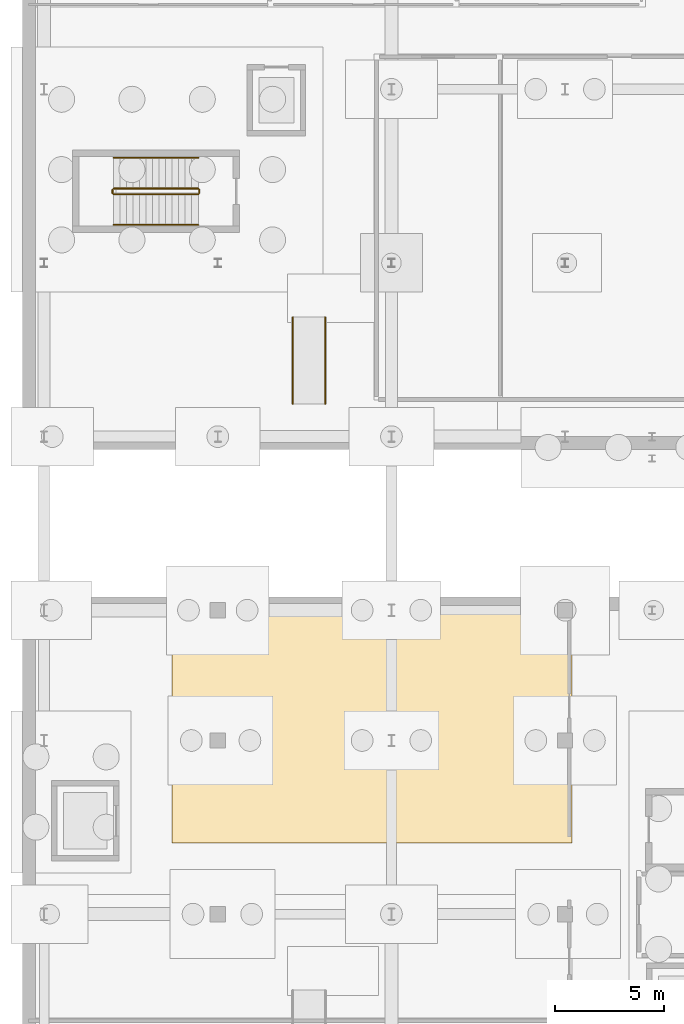
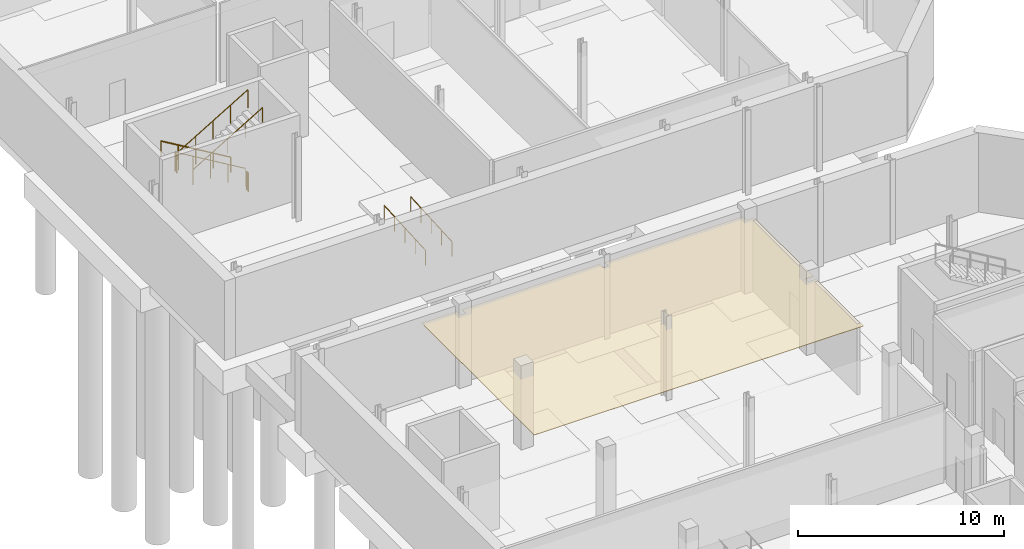
# One storey, part 41 of 47: 8 railings, 1 covering.
"""IFC4 building model written with IfcOpenShell, lengths in metres."""

from ifc_helpers import new_model, si_unit, direction, frame, origin, origin_2d, place, context, subcontext, project, spatial, polyline, circle, outline, extrude, material, layer, layer_set, type_object, element, save


model = new_model("IFC4")

# Units and contexts
model_context = context("Model", 3, precision=1e-05, world=origin(), true_north=direction((0.0, 1.0)))
body_context = subcontext(model_context, "Body", "Model", "MODEL_VIEW")
ifc_project = project(units=[si_unit("LENGTHUNIT", "METRE"), si_unit("AREAUNIT", "SQUARE_METRE"), si_unit("VOLUMEUNIT", "CUBIC_METRE"), si_unit("PLANEANGLEUNIT", "RADIAN"), si_unit("MASSUNIT", "GRAM", prefix="KILO")], contexts=[model_context])

# Site, building, storey
site_placement = place(None, origin())
site = spatial("IfcSite", under=ifc_project, at=site_placement, CompositionType="ELEMENT")
building_placement = place(site_placement, origin())
building = spatial("IfcBuilding", under=site, at=building_placement, Name="Cymarion Research Institute", CompositionType="ELEMENT")
storey_placement = place(building_placement, frame((0.0, 0.0, -5.0)))
storey = spatial("IfcBuildingStorey", under=building, at=storey_placement, Name="B1", CompositionType="ELEMENT", Elevation=-5.0)

# Covering
ifc_material_1 = material(Name="Micro-perforated mineral acoustic ceiling tile", Category="gypsum")
ifc_layer = layer(ifc_material_1, 0.030029296875)
ifc_layer_set = layer_set([ifc_layer], Name="Micro-perforated mineral acoustic ceiling tile")
covering_type = type_object("IfcCoveringType", Name="ACOUSTIC MICRO-PERFORATED SUSPENDED CEILING CLG-01", PredefinedType="CEILING", material=ifc_layer_set)
covering_placement = place(storey_placement, frame((0.0, 0.0, 4.14990234375)))
element("IfcCovering", 1, at=covering_placement, inside=storey, type_object=covering_type, Name="B1 B1 Electron-Beam & Surface Metrology Laboratory acoustic ceiling", PredefinedType="CEILING", context=body_context, shape_type="SweptSolid", body=[
    extrude(outline(polyline([(14.465087890625, 77.715087890625), (14.465087890625, 77.364990234375), (14.735107421875, 77.364990234375), (14.735107421875, 77.715087890625), (22.465087890625, 77.715087890625), (22.465087890625, 77.364990234375), (22.735107421875, 77.364990234375), (22.735107421875, 77.715087890625), (30.465087890625, 77.715087890625), (30.465087890625, 77.364990234375), (30.9150390625, 77.364990234375), (30.9150390625, 71.635009765625), (30.465087890625, 71.635009765625), (30.465087890625, 71.364990234375), (30.9150390625, 71.364990234375), (30.9150390625, 66.784912109375), (12.485107421875, 66.784912109375), (12.485107421875, 77.715087890625), (14.465087890625, 77.715087890625)])), origin(), (0.0, 0.0, 1.0), 0.030029296875),
])

# Railings
ifc_material_2 = material(Name="Steel S355", Category="steel")
railing_type_1 = type_object("IfcRailingType", Name="PAINTED STEEL STAIR GUARDRAIL GR1 1100MM", PredefinedType="GUARDRAIL", material=ifc_material_2)
railing_1_placement = place(storey_placement, frame((13.699951171875, 96.929931640625, 0.178466796875)))
element("IfcRailing", 2, at=railing_1_placement, inside=storey, type_object=railing_type_1, Name="B1 ST9 stair guard 1", PredefinedType="GUARDRAIL", context=body_context, shape_type="SweptSolid", body=[
    extrude(circle(Radius=0.02392578125, at=origin_2d()), frame((0.0, 0.0, 1.076171875), z_axis=(-0.85927712236, 0.0, 0.511510339083), x_axis=(0.0, -1.0, 0.0)), (0.0, 0.0, 1.0), 4.53857421875),
    extrude(circle(Radius=0.02099609375, at=origin_2d()), origin(), (0.0, 0.0, 1.0), 1.052001953125),
    extrude(circle(Radius=0.02099609375, at=origin_2d()), frame((-0.97509765625, 0.0, 0.580322265625)), (0.0, 0.0, 1.0), 1.052001953125),
    extrude(circle(Radius=0.02099609375, at=origin_2d()), frame((-1.949951171875, 0.0, 1.16064453125)), (0.0, 0.0, 1.0), 1.052001953125),
    extrude(circle(Radius=0.02099609375, at=origin_2d()), frame((-2.9248046875, 0.0, 1.7412109375)), (0.0, 0.0, 1.0), 1.052001953125),
    extrude(circle(Radius=0.02099609375, at=origin_2d()), frame((-3.89990234375, 0.0, 2.321533203125)), (0.0, 0.0, 1.0), 1.052001953125),
])
railing_2_placement = place(storey_placement, frame((9.75, 96.8798828125, 2.5)))
element("IfcRailing", 3, at=railing_2_placement, inside=storey, type_object=railing_type_1, Name="B1 ST9 stair guard 2", PredefinedType="GUARDRAIL", context=body_context, shape_type="SweptSolid", body=[
    extrude(circle(Radius=0.02392578125, at=origin_2d()), frame((0.0, 0.0, 1.076171875), z_axis=(0.0, -1.0, 0.0), x_axis=(1.0, 0.0, 0.0)), (0.0, 0.0, 1.0), 0.159912109375),
    extrude(circle(Radius=0.02099609375, at=origin_2d()), origin(), (0.0, 0.0, 1.0), 1.052001953125),
    extrude(circle(Radius=0.02099609375, at=origin_2d()), frame((0.0, -0.159912109375, 0.0)), (0.0, 0.0, 1.0), 1.052001953125),
])
railing_3_placement = place(storey_placement, frame((9.800048828125, 96.669921875, 2.678466796875)))
element("IfcRailing", 4, at=railing_3_placement, inside=storey, type_object=railing_type_1, Name="B1 ST9 stair guard 3", PredefinedType="GUARDRAIL", context=body_context, shape_type="SweptSolid", body=[
    extrude(circle(Radius=0.02392578125, at=origin_2d()), frame((0.0, 0.0, 1.076171875), z_axis=(0.85927712236, 0.0, 0.511510339083), x_axis=(0.0, 1.0, 0.0)), (0.0, 0.0, 1.0), 4.53857421875),
    extrude(circle(Radius=0.02099609375, at=origin_2d()), origin(), (0.0, 0.0, 1.0), 1.052001953125),
    extrude(circle(Radius=0.02099609375, at=origin_2d()), frame((0.97509765625, 0.0, 0.580322265625)), (0.0, 0.0, 1.0), 1.052001953125),
    extrude(circle(Radius=0.02099609375, at=origin_2d()), frame((1.949951171875, 0.0, 1.16064453125)), (0.0, 0.0, 1.0), 1.052001953125),
    extrude(circle(Radius=0.02099609375, at=origin_2d()), frame((2.9248046875, 0.0, 1.7412109375)), (0.0, 0.0, 1.0), 1.052001953125),
    extrude(circle(Radius=0.02099609375, at=origin_2d()), frame((3.89990234375, 0.0, 2.321533203125)), (0.0, 0.0, 1.0), 1.052001953125),
])
railing_4_placement = place(storey_placement, frame((13.75, 96.8798828125, 0.0)))
element("IfcRailing", 5, at=railing_4_placement, inside=storey, type_object=railing_type_1, Name="B1 ST9 stair guard 4", PredefinedType="GUARDRAIL", context=body_context, shape_type="SweptSolid", body=[
    extrude(circle(Radius=0.02392578125, at=origin_2d()), frame((0.0, 0.0, 1.076171875), z_axis=(0.0, -1.0, 0.0), x_axis=(1.0, 0.0, 0.0)), (0.0, 0.0, 1.0), 0.159912109375),
    extrude(circle(Radius=0.02099609375, at=origin_2d()), origin(), (0.0, 0.0, 1.0), 1.052001953125),
    extrude(circle(Radius=0.02099609375, at=origin_2d()), frame((0.0, -0.159912109375, 0.0)), (0.0, 0.0, 1.0), 1.052001953125),
])
railing_type_2 = type_object("IfcRailingType", Name="STAINLESS STEEL RAMP HANDRAIL HR-RMP", PredefinedType="HANDRAIL", material=ifc_material_2)
for number, where, name in (
    (6, (18.06005859375, 87.0, 0.02001953125), "Ramp R6 stainless handrail 1"),
    (7, (19.5400390625, 87.0, 0.02001953125), "Ramp R6 stainless handrail 2"),
):
    element("IfcRailing", number, at=place(storey_placement, frame(where)), inside=storey, type_object=railing_type_2, Name=name, PredefinedType="HANDRAIL", context=body_context, shape_type="SweptSolid", body=[
        extrude(circle(Radius=0.02392578125, at=origin_2d()), frame((0.0, 0.0, 0.8759765625), z_axis=(0.0, 0.998351242335, 0.057400321672), x_axis=(-1.0, 0.0, 0.0)), (0.0, 0.0, 1.0), 4.006591796875),
        extrude(circle(Radius=0.02099609375, at=origin_2d()), origin(), (0.0, 0.0, 1.0), 0.851806640625),
        extrude(circle(Radius=0.02099609375, at=origin_2d()), frame((0.0, 1.0, 0.0576171875)), (0.0, 0.0, 1.0), 0.851806640625),
        extrude(circle(Radius=0.02099609375, at=origin_2d()), frame((0.0, 2.0, 0.114990234375)), (0.0, 0.0, 1.0), 0.851806640625),
        extrude(circle(Radius=0.02099609375, at=origin_2d()), frame((0.0, 3.0, 0.17236328125)), (0.0, 0.0, 1.0), 0.851806640625),
        extrude(circle(Radius=0.02099609375, at=origin_2d()), frame((0.0, 4.0, 0.22998046875)), (0.0, 0.0, 1.0), 0.851806640625),
    ])
railing_type_3 = type_object("IfcRailingType", Name="STAINLESS STEEL STAIR HANDRAIL HR1 900MM", PredefinedType="HANDRAIL", material=ifc_material_2)
railing_5_placement = place(storey_placement, frame((13.699951171875, 98.35009765625, 0.178466796875)))
element("IfcRailing", 8, at=railing_5_placement, inside=storey, type_object=railing_type_3, Name="B1 ST9 stair handrail 1", PredefinedType="HANDRAIL", context=body_context, shape_type="SweptSolid", body=[
    extrude(circle(Radius=0.02392578125, at=origin_2d()), frame((0.0, 0.0, 0.8759765625), z_axis=(-0.85927712236, 0.0, 0.511510339083), x_axis=(0.0, -1.0, 0.0)), (0.0, 0.0, 1.0), 4.53857421875),
    extrude(circle(Radius=0.02099609375, at=origin_2d()), origin(), (0.0, 0.0, 1.0), 0.851806640625),
    extrude(circle(Radius=0.02099609375, at=origin_2d()), frame((-0.97509765625, 0.0, 0.580322265625)), (0.0, 0.0, 1.0), 0.851806640625),
    extrude(circle(Radius=0.02099609375, at=origin_2d()), frame((-1.949951171875, 0.0, 1.16064453125)), (0.0, 0.0, 1.0), 0.851806640625),
    extrude(circle(Radius=0.02099609375, at=origin_2d()), frame((-2.9248046875, 0.0, 1.7412109375)), (0.0, 0.0, 1.0), 0.851806640625),
    extrude(circle(Radius=0.02099609375, at=origin_2d()), frame((-3.89990234375, 0.0, 2.321533203125)), (0.0, 0.0, 1.0), 0.851806640625),
])
railing_6_placement = place(storey_placement, frame((9.800048828125, 95.25, 2.678466796875)))
element("IfcRailing", 9, at=railing_6_placement, inside=storey, type_object=railing_type_3, Name="B1 ST9 stair handrail 2", PredefinedType="HANDRAIL", context=body_context, shape_type="SweptSolid", body=[
    extrude(circle(Radius=0.02392578125, at=origin_2d()), frame((0.0, 0.0, 0.8759765625), z_axis=(0.85927712236, 0.0, 0.511510339083), x_axis=(0.0, 1.0, 0.0)), (0.0, 0.0, 1.0), 4.53857421875),
    extrude(circle(Radius=0.02099609375, at=origin_2d()), origin(), (0.0, 0.0, 1.0), 0.851806640625),
    extrude(circle(Radius=0.02099609375, at=origin_2d()), frame((0.97509765625, 0.0, 0.580322265625)), (0.0, 0.0, 1.0), 0.851806640625),
    extrude(circle(Radius=0.02099609375, at=origin_2d()), frame((1.949951171875, 0.0, 1.16064453125)), (0.0, 0.0, 1.0), 0.851806640625),
    extrude(circle(Radius=0.02099609375, at=origin_2d()), frame((2.9248046875, 0.0, 1.7412109375)), (0.0, 0.0, 1.0), 0.851806640625),
    extrude(circle(Radius=0.02099609375, at=origin_2d()), frame((3.89990234375, 0.0, 2.321533203125)), (0.0, 0.0, 1.0), 0.851806640625),
])

save(model, "model.ifc")
